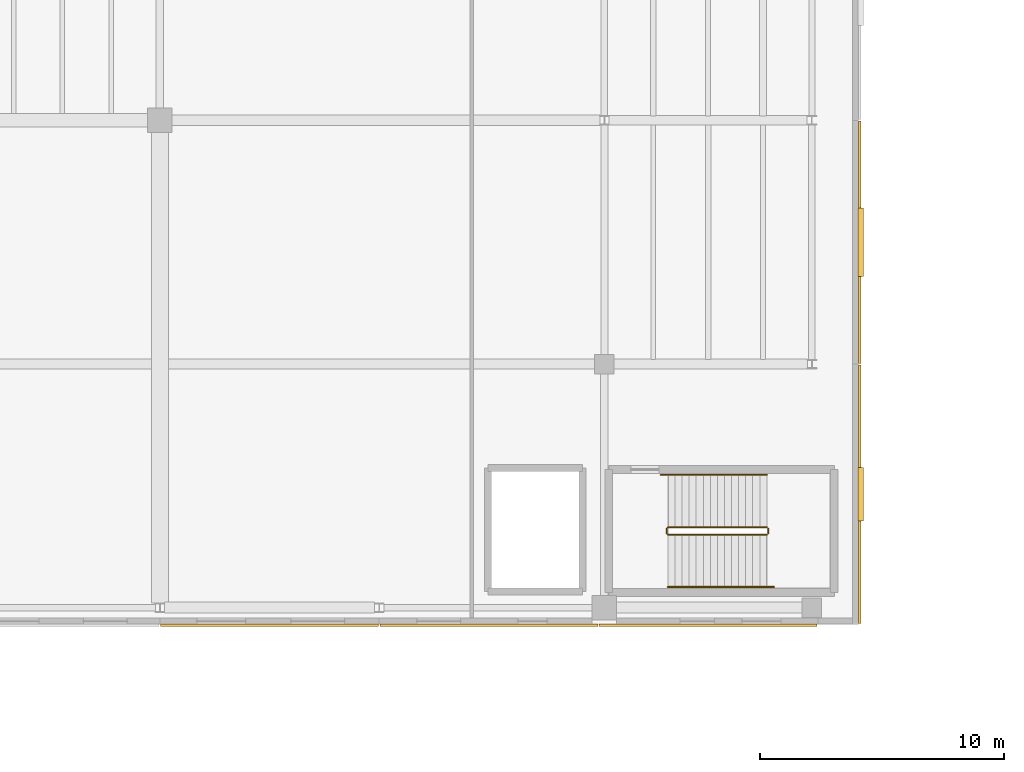
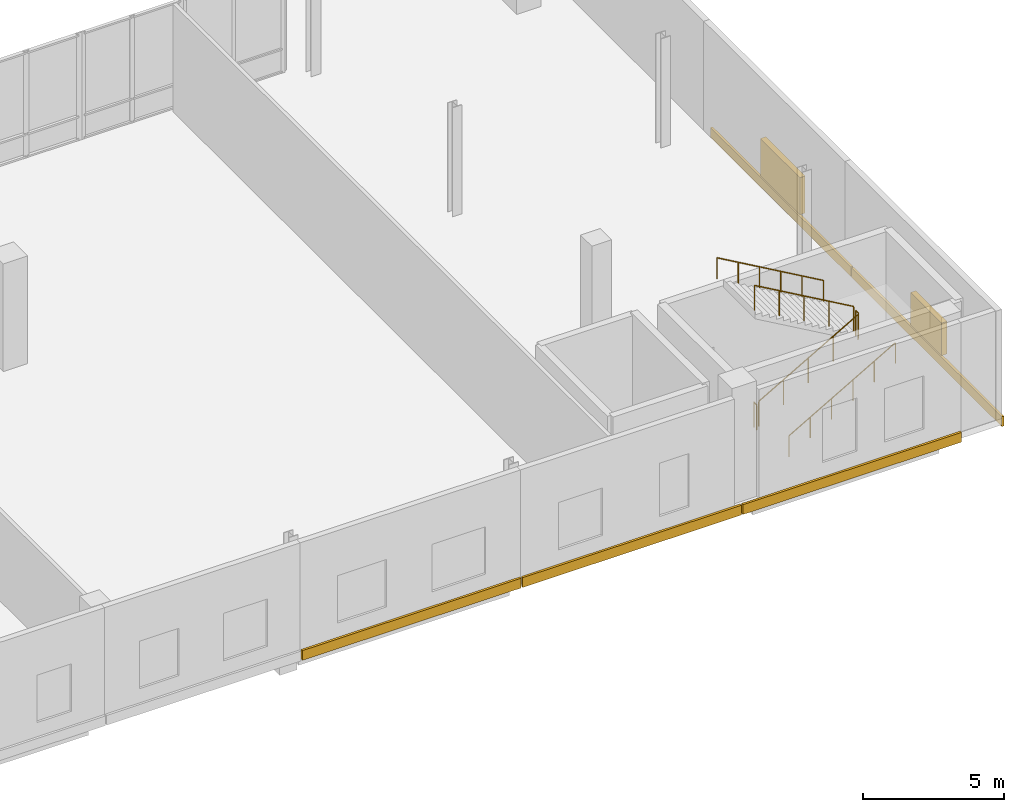
# One storey, part 59 of 60: 6 railings, 5 coverings, 2 shading devices.
"""IFC4 building model written with IfcOpenShell, lengths in metres."""

import ifcopenshell
import ifcopenshell.guid

model = None  # the IFC model being written
_history = None  # IfcOwnerHistory: only IFC2X3 demands one
_inside = {}  # id of a spatial element -> (the spatial element, [elements in it])
_under = {}  # id of a project, library or spatial element -> (it, [spatial elements below it])
_declared = {}  # id of a project -> (the project, [libraries it declares])
_typed = {}  # id of a type object -> (the type object, [elements of that type])
_made_of = {}  # id of a material, layer set ... -> (it, [elements and type objects made of it])


def new_model(schema):
    """Start an empty IFC model of exactly this schema.

    Asked for "IFC4X3", IfcOpenShell would pick the latest addendum, in which some entities
    have other attributes; the version numbers below select the first issue.
    IFC2X3 requires an IfcOwnerHistory on every rooted entity: one is made here for all.
    """
    global model, _history
    if schema == "IFC4X3":
        model = ifcopenshell.file(schema_version=(4, 3, 0, 0))
    else:
        model = ifcopenshell.file(schema=schema)
    _inside.clear()
    _under.clear()
    _declared.clear()
    _typed.clear()
    _made_of.clear()
    _history = None
    if model.schema == "IFC2X3":
        org = make("IfcOrganization", Name="unknown")
        user = make(
            "IfcPersonAndOrganization",
            ThePerson=make("IfcPerson", FamilyName="unknown"),
            TheOrganization=org,
        )
        app = make(
            "IfcApplication",
            ApplicationDeveloper=org,
            Version="unknown",
            ApplicationFullName="unknown",
            ApplicationIdentifier="unknown",
        )
        _history = make(
            "IfcOwnerHistory",
            OwningUser=user,
            OwningApplication=app,
            ChangeAction="ADDED",
            CreationDate=0,
        )
    return model


def make(cls, **values):
    """One entity of the class cls with the attributes given. An attribute that is None is left unset."""
    return model.create_entity(
        cls, **{name: value for name, value in values.items() if value is not None}
    )


def rooted(cls, **values):
    """An entity with a GlobalId (a new one), such as an element, a storey or a relation."""
    return make(cls, GlobalId=ifcopenshell.guid.new(), OwnerHistory=_history, **values)


def si_unit(unit_type, name, prefix=None):
    """IfcSIUnit, for example si_unit("LENGTHUNIT", "METRE", prefix="MILLI")."""
    return make("IfcSIUnit", UnitType=unit_type, Prefix=prefix, Name=name)


def assignment(units):
    """IfcUnitAssignment: the units of a project."""
    return None if units is None else make("IfcUnitAssignment", Units=units)


def point(xyz):
    """IfcCartesianPoint."""
    return None if xyz is None else make("IfcCartesianPoint", Coordinates=xyz)


def direction(xyz):
    """IfcDirection."""
    return None if xyz is None else make("IfcDirection", DirectionRatios=xyz)


def frame(location, z_axis=None, x_axis=None):
    """IfcAxis2Placement3D, a coordinate frame: its origin and axes. An axis left out is left unset."""
    return make(
        "IfcAxis2Placement3D",
        Location=point(location),
        Axis=direction(z_axis),
        RefDirection=direction(x_axis),
    )


def frame_2d(location, x_axis=None):
    """IfcAxis2Placement2D, a coordinate frame in the plane: its origin and x axis."""
    return make(
        "IfcAxis2Placement2D", Location=point(location), RefDirection=direction(x_axis)
    )


def origin():
    """The frame at (0, 0, 0) with its axes left unset."""
    return frame((0.0, 0.0, 0.0))


def origin_2d():
    """The frame at (0, 0) in the plane with its x axis left unset."""
    return frame_2d((0.0, 0.0))


def place(relative_to, where):
    """IfcLocalPlacement: puts the frame where relative to a parent placement (None: the world)."""
    return make(
        "IfcLocalPlacement", PlacementRelTo=relative_to, RelativePlacement=where
    )


def context(
    kind, dimensions, precision=None, world=None, true_north=None, identifier=None
):
    """IfcGeometricRepresentationContext, for example the 3D "Model" context."""
    return make(
        "IfcGeometricRepresentationContext",
        ContextIdentifier=identifier,
        ContextType=kind,
        CoordinateSpaceDimension=dimensions,
        Precision=precision,
        WorldCoordinateSystem=world,
        TrueNorth=true_north,
    )


def subcontext(parent, identifier, kind, view, scale=None):
    """IfcGeometricRepresentationSubContext, for example "Body" below "Model"."""
    return make(
        "IfcGeometricRepresentationSubContext",
        ContextIdentifier=identifier,
        ContextType=kind,
        ParentContext=parent,
        TargetScale=scale,
        TargetView=view,
    )


def project(units=None, contexts=None):
    """IfcProject with its units and contexts."""
    return rooted(
        "IfcProject",
        Name="project",
        RepresentationContexts=contexts,
        UnitsInContext=assignment(units),
    )


def spatial(cls, under=None, at=None, **own):
    """A site, building, storey or space (cls), placed at a placement, below another one or the project."""
    s = rooted(cls, ObjectPlacement=at, **own)
    if under is not None:
        _under.setdefault(under.id(), (under, []))[1].append(s)
    return s


def profile(cls, at=None, kind="AREA", **sizes):
    """A parametric profile (cls). Its sizes go by their IFC names, for example OverallWidth=200.0."""
    return make(cls, ProfileType=kind, Position=at, **sizes)


def rectangle(**sizes):
    """IfcRectangleProfileDef."""
    return profile("IfcRectangleProfileDef", **sizes)


def circle(**sizes):
    """IfcCircleProfileDef."""
    return profile("IfcCircleProfileDef", **sizes)


def extrude(swept, where, along, depth):
    """IfcExtrudedAreaSolid: the profile swept, set in the frame where, extruded along a direction by depth."""
    return make(
        "IfcExtrudedAreaSolid",
        SweptArea=swept,
        Position=where,
        ExtrudedDirection=direction(along),
        Depth=depth,
    )


def shape(context_of_items, identifier, shape_type, items):
    """IfcShapeRepresentation: the items that make up one representation, for example the "Body"."""
    return make(
        "IfcShapeRepresentation",
        ContextOfItems=context_of_items,
        RepresentationIdentifier=identifier,
        RepresentationType=shape_type,
        Items=items,
    )


def material(Name=None, Category=None):
    """IfcMaterial."""
    return make("IfcMaterial", Name=Name, Category=Category)


def layer(
    of_material, thickness, ventilated=None, Name=None, Category=None, Priority=None
):
    """IfcMaterialLayer: one layer of a wall or slab, of a material (None: an air gap)."""
    return make(
        "IfcMaterialLayer",
        Material=of_material,
        LayerThickness=thickness,
        IsVentilated=ventilated,
        Name=Name,
        Category=Category,
        Priority=Priority,
    )


def layer_set(layers, Name=None):
    """IfcMaterialLayerSet."""
    return make("IfcMaterialLayerSet", MaterialLayers=layers, LayerSetName=Name)


def made_of(thing, what):
    """Note that an element or type object is made of a material, layer set ...; save() writes the relation."""
    if what is not None:
        _made_of.setdefault(what.id(), (what, []))[1].append(thing)
    return thing


def type_object(cls, material=None, **own):
    """A type object (cls), such as IfcWallType, which elements share."""
    return made_of(rooted(cls, **own), material)


def element(
    cls,
    number,
    at=None,
    inside=None,
    cuts=None,
    type_object=None,
    material=None,
    context=None,
    identifier="Body",
    shape_type=None,
    held_by="IfcProductDefinitionShape",
    body=None,
    shapes=None,
    **own,
):
    """One element of the class cls, such as IfcWall. Its Tag is "e" and its number.

    at: its placement. inside: the storey or other place that contains it. cuts: it is an
    opening in that element (IfcRelVoidsElement). A single representation is given by context,
    identifier, shape_type and body (its items); several are given by shapes. held_by: the class
    of the entity that holds the representations. save() writes the other relations.
    """
    e = rooted(cls, Tag="e%d" % number, ObjectPlacement=at, **own)
    if body is not None:
        shapes = [shape(context, identifier, shape_type, body)]
    if shapes is not None:
        e.Representation = make(held_by, Representations=shapes)
    if inside is not None:
        _inside.setdefault(inside.id(), (inside, []))[1].append(e)
    if cuts is not None:
        rooted(
            "IfcRelVoidsElement", RelatingBuildingElement=cuts, RelatedOpeningElement=e
        )
    if type_object is not None:
        _typed.setdefault(type_object.id(), (type_object, []))[1].append(e)
    return made_of(e, material)


def aggregate(whole, parts):
    """IfcRelAggregates: a whole, such as a stair, and the parts it consists of."""
    return rooted("IfcRelAggregates", RelatingObject=whole, RelatedObjects=parts)


def save(model, path):
    """Write the relations noted so far, then the file.

    IfcRelAggregates (storeys below a building ...), IfcRelContainedInSpatialStructure (elements
    in a storey), IfcRelDefinesByType, IfcRelAssociatesMaterial and IfcRelDeclares: one each for
    every whole, place, type object, material and project.
    """
    for whole, parts in _under.values():
        aggregate(whole, parts)
    for where, things in _inside.values():
        rooted(
            "IfcRelContainedInSpatialStructure",
            RelatedElements=things,
            RelatingStructure=where,
        )
    for kind, things in _typed.values():
        rooted("IfcRelDefinesByType", RelatedObjects=things, RelatingType=kind)
    for what, things in _made_of.values():
        rooted("IfcRelAssociatesMaterial", RelatedObjects=things, RelatingMaterial=what)
    for by, libraries in _declared.values():
        rooted("IfcRelDeclares", RelatingContext=by, RelatedDefinitions=libraries)
    model.write(path)


model = new_model("IFC4")

# Units and contexts
model_context = context("Model", 3, precision=1e-05, world=origin(), true_north=direction((0.0, 1.0)))
body_context = subcontext(model_context, "Body", "Model", "MODEL_VIEW")
ifc_project = project(units=[si_unit("LENGTHUNIT", "METRE"), si_unit("AREAUNIT", "SQUARE_METRE"), si_unit("VOLUMEUNIT", "CUBIC_METRE"), si_unit("PLANEANGLEUNIT", "RADIAN"), si_unit("MASSUNIT", "GRAM", prefix="KILO")], contexts=[model_context])

# Site, building, storey
site_placement = place(None, origin())
site = spatial("IfcSite", under=ifc_project, at=site_placement, CompositionType="ELEMENT")
building_placement = place(site_placement, origin())
building = spatial("IfcBuilding", under=site, at=building_placement, Name="Trimount Lyric Opera House", CompositionType="ELEMENT")
storey_placement = place(building_placement, frame((0.0, 0.0, 15.0)))
storey = spatial("IfcBuildingStorey", under=building, at=storey_placement, Name="L03", CompositionType="ELEMENT", Elevation=15.0)

# Coverings
ifc_material_1 = material(Name="Architectural Precast Concrete Spandrel Band", Category="concrete")
ifc_layer = layer(ifc_material_1, 0.094970703125)
ifc_layer_set = layer_set([ifc_layer], Name="CLD-WING1")
covering_type = type_object("IfcCoveringType", Name="CLD-WING1", PredefinedType="CLADDING", material=ifc_layer_set)
covering_1_placement = place(storey_placement, frame((158.721435546875, 59.0, -0.369873046875), z_axis=(0.0, 0.0, 1.0), x_axis=(0.0, -1.0, 0.0)))
element("IfcCovering", 1, at=covering_1_placement, inside=storey, type_object=covering_type, Name="L03 precast slab-edge spandrel 272", PredefinedType="CLADDING", context=body_context, shape_type="SweptSolid", body=[
    extrude(rectangle(XDim=9.93994140625, YDim=0.094970703125, at=origin_2d()), origin(), (0.0, 0.0, 1.0), 0.419921875),
])
covering_2_placement = place(storey_placement, frame((158.721435546875, 48.659912109375, -0.369873046875), z_axis=(0.0, 0.0, 1.0), x_axis=(0.0, -1.0, 0.0)))
element("IfcCovering", 2, at=covering_2_placement, inside=storey, type_object=covering_type, Name="L03 precast slab-edge spandrel 273", PredefinedType="CLADDING", context=body_context, shape_type="SweptSolid", body=[
    extrude(rectangle(XDim=10.6201171875, YDim=0.094970703125, at=origin_2d()), origin(), (0.0, 0.0, 1.0), 0.419921875),
])
for number, where, z_axis, x_axis, name in (
    (3, (152.5, 43.278564453125, -0.369873046875), (0.0, 0.0, 1.0), (-1.0, 0.0, 0.0), "L03 precast slab-edge spandrel 275"),
    (4, (143.5, 43.278564453125, -0.369873046875), (0.0, 0.0, 1.0), (-1.0, 0.0, 0.0), "L03 precast slab-edge spandrel 276"),
    (5, (134.5, 43.278564453125, -0.369873046875), (0.0, 0.0, 1.0), (-1.0, 0.0, 0.0), "L03 precast slab-edge spandrel 277"),
):
    element("IfcCovering", number, at=place(storey_placement, frame(where, z_axis=z_axis, x_axis=x_axis)), inside=storey, type_object=covering_type, Name=name, PredefinedType="CLADDING", context=body_context, shape_type="SweptSolid", body=[
        extrude(rectangle(XDim=8.93994140625, YDim=0.094970703125, at=origin_2d()), origin(), (0.0, 0.0, 1.0), 0.419921875),
    ])

# Railings
ifc_material_2 = material(Name="Brushed Stainless Steel 316", Category="steel")
railing_type_1 = type_object("IfcRailingType", Name="RL-GRD110", PredefinedType="GUARDRAIL", material=ifc_material_2)
railing_1_placement = place(storey_placement, frame((150.85009765625, 47.0, 0.166748046875)))
element("IfcRailing", 6, at=railing_1_placement, inside=storey, type_object=railing_type_1, Name="L03 ST-05 stair guard 1", PredefinedType="GUARDRAIL", context=body_context, shape_type="SweptSolid", body=[
    extrude(circle(Radius=0.02392578125, at=origin_2d()), frame((0.0, 0.0, 1.076171875), z_axis=(0.86701161382, 0.0, 0.498287930319), x_axis=(0.0, 1.0, 0.0)), (0.0, 0.0, 1.0), 4.6826171875),
    extrude(circle(Radius=0.02099609375, at=origin_2d()), origin(), (0.0, 0.0, 1.0), 1.052001953125),
    extrude(circle(Radius=0.02099609375, at=origin_2d()), frame((1.014892578125, 0.0, 0.583251953125)), (0.0, 0.0, 1.0), 1.052001953125),
    extrude(circle(Radius=0.02099609375, at=origin_2d()), frame((2.02978515625, 0.0, 1.16650390625)), (0.0, 0.0, 1.0), 1.052001953125),
    extrude(circle(Radius=0.02099609375, at=origin_2d()), frame((3.044921875, 0.0, 1.75)), (0.0, 0.0, 1.0), 1.052001953125),
    extrude(circle(Radius=0.02099609375, at=origin_2d()), frame((4.059814453125, 0.0, 2.333251953125)), (0.0, 0.0, 1.0), 1.052001953125),
])
railing_2_placement = place(storey_placement, frame((154.9599609375, 47.050048828125, 2.5)))
element("IfcRailing", 7, at=railing_2_placement, inside=storey, type_object=railing_type_1, Name="L03 ST-05 stair guard 2", PredefinedType="GUARDRAIL", context=body_context, shape_type="SweptSolid", body=[
    extrude(circle(Radius=0.02392578125, at=origin_2d()), frame((0.0, 0.0, 1.076171875), z_axis=(0.0, 1.0, 0.0), x_axis=(-1.0, 0.0, 0.0)), (0.0, 0.0, 1.0), 0.199951171875),
    extrude(circle(Radius=0.02099609375, at=origin_2d()), origin(), (0.0, 0.0, 1.0), 1.052001953125),
    extrude(circle(Radius=0.02099609375, at=origin_2d()), frame((0.0, 0.199951171875, 0.0)), (0.0, 0.0, 1.0), 1.052001953125),
])
railing_3_placement = place(storey_placement, frame((154.909912109375, 47.300048828125, 2.666748046875)))
element("IfcRailing", 8, at=railing_3_placement, inside=storey, type_object=railing_type_1, Name="L03 ST-05 stair guard 3", PredefinedType="GUARDRAIL", context=body_context, shape_type="SweptSolid", body=[
    extrude(circle(Radius=0.02392578125, at=origin_2d()), frame((0.0, 0.0, 1.076171875), z_axis=(-0.86701161382, 0.0, 0.498287930319), x_axis=(0.0, -1.0, 0.0)), (0.0, 0.0, 1.0), 4.6826171875),
    extrude(circle(Radius=0.02099609375, at=origin_2d()), origin(), (0.0, 0.0, 1.0), 1.052001953125),
    extrude(circle(Radius=0.02099609375, at=origin_2d()), frame((-1.014892578125, 0.0, 0.583251953125)), (0.0, 0.0, 1.0), 1.052001953125),
    extrude(circle(Radius=0.02099609375, at=origin_2d()), frame((-2.02978515625, 0.0, 1.16650390625)), (0.0, 0.0, 1.0), 1.052001953125),
    extrude(circle(Radius=0.02099609375, at=origin_2d()), frame((-3.044921875, 0.0, 1.75)), (0.0, 0.0, 1.0), 1.052001953125),
    extrude(circle(Radius=0.02099609375, at=origin_2d()), frame((-4.059814453125, 0.0, 2.333251953125)), (0.0, 0.0, 1.0), 1.052001953125),
])
railing_4_placement = place(storey_placement, frame((150.800048828125, 47.050048828125, 0.0)))
element("IfcRailing", 9, at=railing_4_placement, inside=storey, type_object=railing_type_1, Name="L03 ST-05 stair guard 4", PredefinedType="GUARDRAIL", context=body_context, shape_type="SweptSolid", body=[
    extrude(circle(Radius=0.02392578125, at=origin_2d()), frame((0.0, 0.0, 1.076171875), z_axis=(0.0, 1.0, 0.0), x_axis=(-1.0, 0.0, 0.0)), (0.0, 0.0, 1.0), 0.199951171875),
    extrude(circle(Radius=0.02099609375, at=origin_2d()), origin(), (0.0, 0.0, 1.0), 1.052001953125),
    extrude(circle(Radius=0.02099609375, at=origin_2d()), frame((0.0, 0.199951171875, 0.0)), (0.0, 0.0, 1.0), 1.052001953125),
])
ifc_material_3 = material(Name="Brushed Stainless Steel 316", Category="steel")
railing_type_2 = type_object("IfcRailingType", Name="RL-HND092", PredefinedType="HANDRAIL", material=ifc_material_3)
railing_5_placement = place(storey_placement, frame((150.85009765625, 44.85009765625, 0.166748046875)))
element("IfcRailing", 10, at=railing_5_placement, inside=storey, type_object=railing_type_2, Name="L03 ST-05 stair handrail 1", PredefinedType="HANDRAIL", context=body_context, shape_type="SweptSolid", body=[
    extrude(circle(Radius=0.0224609375, at=origin_2d()), frame((0.0, 0.0, 0.8974609375), z_axis=(0.866754379005, 0.0, 0.498735246875), x_axis=(0.0, 1.0, 0.0)), (0.0, 0.0, 1.0), 5.0185546875),
    extrude(circle(Radius=0.02099609375, at=origin_2d()), origin(), (0.0, 0.0, 1.0), 0.875),
    extrude(circle(Radius=0.02099609375, at=origin_2d()), frame((0.869873046875, 0.0, 0.50048828125)), (0.0, 0.0, 1.0), 0.875),
    extrude(circle(Radius=0.02099609375, at=origin_2d()), frame((1.739990234375, 0.0, 1.001220703125)), (0.0, 0.0, 1.0), 0.875),
    extrude(circle(Radius=0.02099609375, at=origin_2d()), frame((2.60986328125, 0.0, 1.501708984375)), (0.0, 0.0, 1.0), 0.875),
    extrude(circle(Radius=0.02099609375, at=origin_2d()), frame((3.47998046875, 0.0, 2.00244140625)), (0.0, 0.0, 1.0), 0.875),
    extrude(circle(Radius=0.02099609375, at=origin_2d()), frame((4.349853515625, 0.0, 2.5029296875)), (0.0, 0.0, 1.0), 0.875),
])
railing_6_placement = place(storey_placement, frame((154.909912109375, 49.449951171875, 2.666748046875)))
element("IfcRailing", 11, at=railing_6_placement, inside=storey, type_object=railing_type_2, Name="L03 ST-05 stair handrail 2", PredefinedType="HANDRAIL", context=body_context, shape_type="SweptSolid", body=[
    extrude(circle(Radius=0.0224609375, at=origin_2d()), frame((0.0, 0.0, 0.8974609375), z_axis=(-0.866754379005, 0.0, 0.498735246875), x_axis=(0.0, -1.0, 0.0)), (0.0, 0.0, 1.0), 5.0185546875),
    extrude(circle(Radius=0.02099609375, at=origin_2d()), origin(), (0.0, 0.0, 1.0), 0.875),
    extrude(circle(Radius=0.02099609375, at=origin_2d()), frame((-0.869873046875, 0.0, 0.50048828125)), (0.0, 0.0, 1.0), 0.875),
    extrude(circle(Radius=0.02099609375, at=origin_2d()), frame((-1.739990234375, 0.0, 1.001220703125)), (0.0, 0.0, 1.0), 0.875),
    extrude(circle(Radius=0.02099609375, at=origin_2d()), frame((-2.60986328125, 0.0, 1.501708984375)), (0.0, 0.0, 1.0), 0.875),
    extrude(circle(Radius=0.02099609375, at=origin_2d()), frame((-3.47998046875, 0.0, 2.00244140625)), (0.0, 0.0, 1.0), 0.875),
    extrude(circle(Radius=0.02099609375, at=origin_2d()), frame((-4.349853515625, 0.0, 2.5029296875)), (0.0, 0.0, 1.0), 0.875),
])

# Shading devices
ifc_material_4 = material(Name="Anodised Bronze Acoustic Weather Louvre")
shading_device_type_1 = type_object("IfcShadingDeviceType", Name="SHD-LVR1", PredefinedType="JALOUSIE", material=ifc_material_4)
shading_device_1_placement = place(storey_placement, frame((158.761962890625, 59.0, 0.14990234375), z_axis=(0.0, 0.0, 1.0), x_axis=(1.0, 0.0, 0.0)))
element("IfcShadingDevice", 12, at=shading_device_1_placement, inside=storey, type_object=shading_device_type_1, Name="Acoustic plant intake louvre 03", PredefinedType="JALOUSIE", context=body_context, shape_type="SweptSolid", body=[
    extrude(rectangle(XDim=0.219970703125, YDim=2.800048828125, at=origin_2d()), origin(), (0.0, 0.0, 1.0), 1.60009765625),
])
ifc_material_5 = material(Name="Anodised Bronze Acoustic Weather Louvre")
shading_device_type_2 = type_object("IfcShadingDeviceType", Name="SHD-LVR2", PredefinedType="JALOUSIE", material=ifc_material_5)
shading_device_2_placement = place(storey_placement, frame((158.761962890625, 48.659912109375, 0.150146484375), z_axis=(0.0, 0.0, 1.0), x_axis=(1.0, 0.0, 0.0)))
element("IfcShadingDevice", 13, at=shading_device_2_placement, inside=storey, type_object=shading_device_type_2, Name="Acoustic plant intake louvre 04", PredefinedType="JALOUSIE", context=body_context, shape_type="SweptSolid", body=[
    extrude(rectangle(XDim=0.219970703125, YDim=2.199951171875, at=origin_2d()), origin(), (0.0, 0.0, 1.0), 1.39990234375),
])

save(model, "model.ifc")
